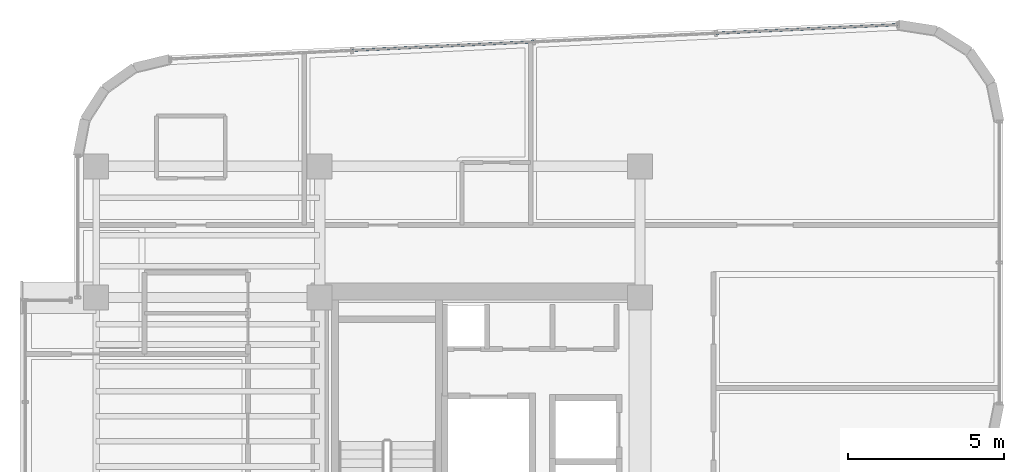
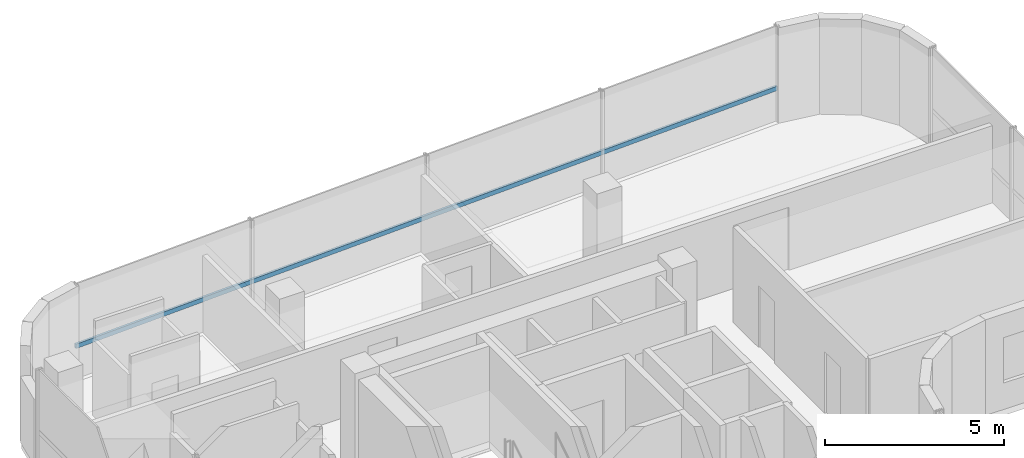
# One storey, part 11 of 20: 1 member, 1 element without a shape of its own.
"""IFC4 building model written with IfcOpenShell, lengths in metres."""

from ifc_helpers import new_model, si_unit, direction, frame, origin, origin_2d, place, context, subcontext, project, spatial, hollow_rectangle, extrude, source, transform, mapped, material, material_profile, profile_set, type_object, element, aggregate, save


model = new_model("IFC4")

# Units and contexts
model_context = context("Model", 3, precision=1e-05, world=origin(), true_north=direction((0.0, 1.0)))
body_context = subcontext(model_context, "Body", "Model", "MODEL_VIEW")
ifc_project = project(units=[si_unit("LENGTHUNIT", "METRE"), si_unit("AREAUNIT", "SQUARE_METRE"), si_unit("VOLUMEUNIT", "CUBIC_METRE"), si_unit("PLANEANGLEUNIT", "RADIAN"), si_unit("MASSUNIT", "GRAM", prefix="KILO")], contexts=[model_context])

# Site, building, storey
site_placement = place(None, origin())
site = spatial("IfcSite", under=ifc_project, at=site_placement, CompositionType="ELEMENT")
building_placement = place(site_placement, origin())
building = spatial("IfcBuilding", under=site, at=building_placement, Name="Valdorenza Pilgrim Sanctuary Tower", CompositionType="ELEMENT")
storey_placement = place(building_placement, frame((0.0, 0.0, 280.0)))
storey = spatial("IfcBuildingStorey", under=building, at=storey_placement, Name="L73", CompositionType="ELEMENT", Elevation=280.0)

# Curtain wall, member
ifc_material_1 = material(Name="Curtain-wall IGU glazing", Category="glass")
curtain_wall_type = type_object("IfcCurtainWallType", Name="CW-SYS-02", PredefinedType="NOTDEFINED", material=ifc_material_1)
curtain_wall_placement = place(storey_placement, origin())
curtain_wall = element("IfcCurtainWall", 1, at=curtain_wall_placement, inside=storey, type_object=curtain_wall_type, Name="L73 Curtain Wall CW-L73-1-6", PredefinedType="NOTDEFINED")
ifc_material_2 = material(Name="Anodised aluminium AW-6060", Category="aluminium")
ifc_material_profile = material_profile(ifc_material_2, hollow_rectangle(XDim=0.074951171875, YDim=0.14990234375, WallThickness=0.00390625, at=origin_2d()), Name="ALU-T 150x75x4")
ifc_profile_set = profile_set([ifc_material_profile], Name="Anodised aluminium AW-6060")
member_type = type_object("IfcMemberType", Name="CW-TRN-02", PredefinedType="USERDEFINED", material=ifc_profile_set)
shared_shape = source(origin(), body_context, "Body", "SweptSolid", [
    extrude(hollow_rectangle(XDim=0.074951171875, YDim=0.14990234375, WallThickness=0.00390625, at=origin_2d()), origin(), (0.0, 0.0, 1.0), 23.30419921875),
])
member_placement = place(storey_placement, frame((-27.43505859375, 18.234375, 1.1201171875), z_axis=(0.998890613053, 0.04709079693, 0.0), x_axis=(-0.04709079693, 0.998890613053, 0.0)))
member = element("IfcMember", 2, at=member_placement, type_object=member_type, Name="CW-L73-1-6 Transom 1", ObjectType="TRANSOM", PredefinedType="USERDEFINED", context=body_context, shape_type="MappedRepresentation", body=[
    mapped(shared_shape, transform((0.0, 0.0, 0.0), x_axis=(1.0, 0.0, 0.0), y_axis=(0.0, 1.0, 0.0), z_axis=(0.0, 0.0, 1.0), scale=1.0)),
])
aggregate(curtain_wall, [member])

save(model, "model.ifc")
